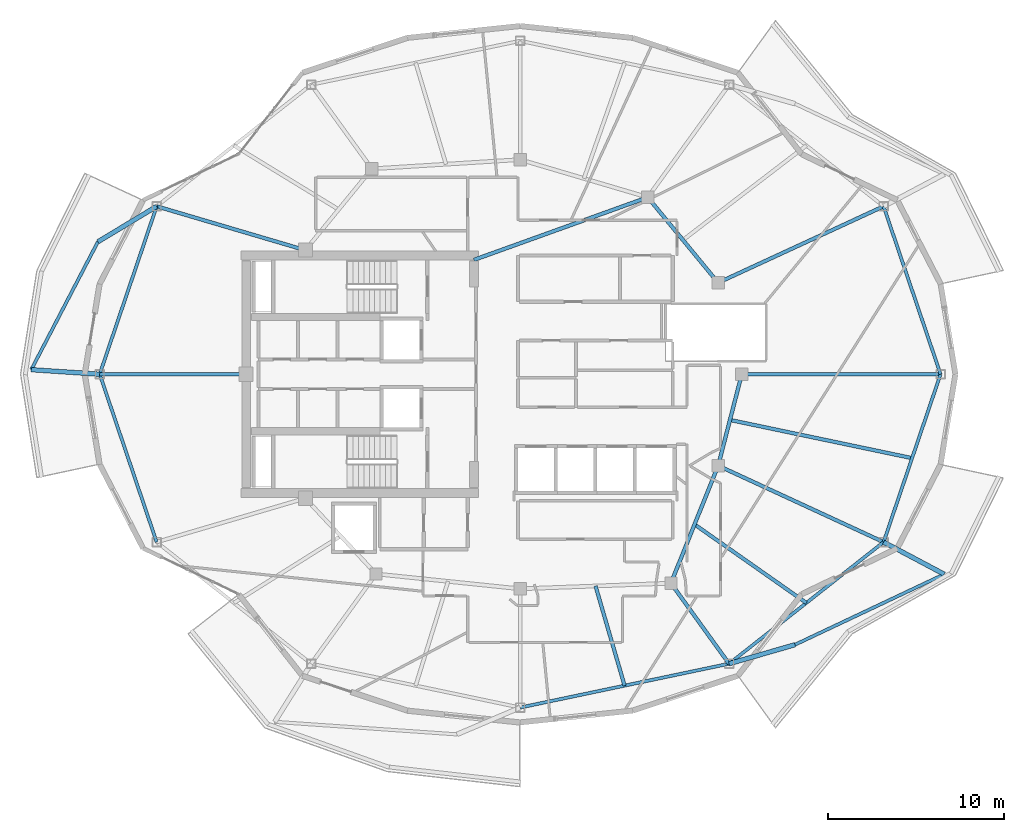
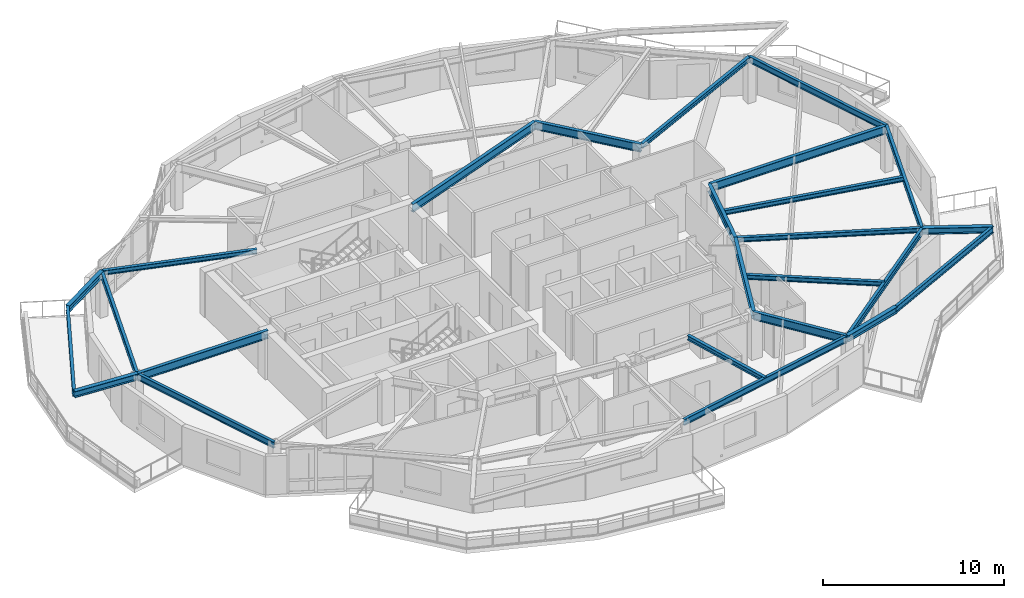
# One storey, part 3 of 14: 25 beams.
"""IFC4 building model written with IfcOpenShell, lengths in metres."""

from ifc_helpers import new_model, si_unit, direction, frame, origin, origin_2d, place, context, subcontext, project, spatial, i_section, extrude, material, material_profile, profile_set, type_object, element, save


model = new_model("IFC4")

# Units and contexts
model_context = context("Model", 3, precision=1e-05, world=origin(), true_north=direction((0.0, 1.0)))
body_context = subcontext(model_context, "Body", "Model", "MODEL_VIEW")
ifc_project = project(units=[si_unit("LENGTHUNIT", "METRE"), si_unit("AREAUNIT", "SQUARE_METRE"), si_unit("VOLUMEUNIT", "CUBIC_METRE"), si_unit("PLANEANGLEUNIT", "RADIAN"), si_unit("MASSUNIT", "GRAM", prefix="KILO")], contexts=[model_context])

# Site, building, storey
site_placement = place(None, origin())
site = spatial("IfcSite", under=ifc_project, at=site_placement, CompositionType="ELEMENT")
building_placement = place(site_placement, origin())
building = spatial("IfcBuilding", under=site, at=building_placement, Name="Kolvaren Gate Tower and Convention Centre", CompositionType="ELEMENT")
storey_placement = place(building_placement, frame((0.0, 0.0, 206.300048828125)))
storey = spatial("IfcBuildingStorey", under=building, at=storey_placement, Name="L54", CompositionType="ELEMENT", Elevation=206.300048828125)

# Beams
ifc_material = material(Name="Structural steel ASTM A992 Grade 345 MPa", Category="steel")
ifc_material_profile_1 = material_profile(ifc_material, i_section(OverallWidth=0.260009765625, OverallDepth=0.419921875, WebThickness=0.013427734375, FlangeThickness=0.0224609375, at=origin_2d()), Name="W410X132")
ifc_profile_set_1 = profile_set([ifc_material_profile_1], Name="Structural steel ASTM A992 Grade 345 MPa")
beam_type_1 = type_object("IfcBeamType", Name="STR-BM-W410X132", PredefinedType="BEAM", material=ifc_profile_set_1)
for number, where, z_axis, x_axis, name in (
    (1, (9.462646484375, 36.543701171875, 2.820556640625), (-0.856097890351, -0.516813701575, 0.0), (0.516813701575, -0.856097890351, 0.0), "Tower L55 Planted Balcony Outrigger Cantilever BC-2A"),
    (2, (6.22509765625, 27.0, 2.820556640625), (-0.997825138942, 0.065916554034, 0.0), (-0.065916554034, -0.997825138942, 0.0), "Tower L55 Planted Balcony Outrigger Cantilever BC-2B"),
):
    element("IfcBeam", number, at=place(storey_placement, frame(where, z_axis=z_axis, x_axis=x_axis)), inside=storey, type_object=beam_type_1, Name=name, PredefinedType="BEAM", context=body_context, shape_type="SweptSolid", body=[
        extrude(i_section(OverallWidth=0.260009765625, OverallDepth=0.419921875, WebThickness=0.013427734375, FlangeThickness=0.0224609375, at=origin_2d()), origin(), (0.0, 0.0, 1.0), 3.900146484375),
    ])
for number, where, z_axis, x_axis, name in (
    (3, (42.002685546875, 10.5419921875, 2.820556640625), (0.960795374216, 0.277258451421, 0.0), (-0.277258451421, 0.960795374216, 0.0), "Tower L55 Planted Balcony Outrigger Cantilever BC-4A"),
    (4, (50.787353515625, 17.456298828125, 2.820556640625), (0.88362340532, -0.468198331448, 0.0), (0.468198331448, 0.88362340532, 0.0), "Tower L55 Planted Balcony Outrigger Cantilever BC-4B"),
):
    element("IfcBeam", number, at=place(storey_placement, frame(where, z_axis=z_axis, x_axis=x_axis)), inside=storey, type_object=beam_type_1, Name=name, PredefinedType="BEAM", context=body_context, shape_type="SweptSolid", body=[
        extrude(i_section(OverallWidth=0.260009765625, OverallDepth=0.419921875, WebThickness=0.013427734375, FlangeThickness=0.0224609375, at=origin_2d()), origin(), (0.0, 0.0, 1.0), 3.89990234375),
    ])
ifc_material_profile_2 = material_profile(ifc_material, i_section(OverallWidth=0.2119140625, OverallDepth=0.5439453125, WebThickness=0.01318359375, FlangeThickness=0.021240234375, at=origin_2d()), Name="W530X123")
ifc_profile_set_2 = profile_set([ifc_material_profile_2], Name="Structural steel ASTM A992 Grade 345 MPa")
beam_type_2 = type_object("IfcBeamType", Name="STR-BM-W530X123", PredefinedType="BEAM", material=ifc_profile_set_2)
beam_1_placement = place(storey_placement, frame((42.72509765625, 27.0, 2.758056640625), z_axis=(-0.250091133936, -0.968222301296, 0.0), x_axis=(0.968222301296, -0.250091133936, 0.0)))
element("IfcBeam", 5, at=beam_1_placement, inside=storey, type_object=beam_type_2, Name="Tower L54 Primary Ring Girder G-01", PredefinedType="BEAM", context=body_context, shape_type="SweptSolid", body=[
    extrude(i_section(OverallWidth=0.2119140625, OverallDepth=0.5439453125, WebThickness=0.01318359375, FlangeThickness=0.021240234375, at=origin_2d()), origin(), (0.0, 0.0, 1.0), 5.3701171875),
])
beam_2_placement = place(storey_placement, frame((41.382080078125, 32.199462890625, 2.758056640625), z_axis=(-0.635884066011, 0.771784590798, 0.0), x_axis=(-0.771784590798, -0.635884066011, 0.0)))
element("IfcBeam", 6, at=beam_2_placement, inside=storey, type_object=beam_type_2, Name="Tower L54 Primary Ring Girder G-02", PredefinedType="BEAM", context=body_context, shape_type="SweptSolid", body=[
    extrude(i_section(OverallWidth=0.2119140625, OverallDepth=0.5439453125, WebThickness=0.01318359375, FlangeThickness=0.021240234375, at=origin_2d()), origin(), (0.0, 0.0, 1.0), 6.291259765625),
])
beam_3_placement = place(storey_placement, frame((38.6982421875, 15.12060546875, 2.758056640625), z_axis=(0.372811100169, 0.927907260232, 0.0), x_axis=(-0.927907260232, 0.372811100169, 0.0)))
element("IfcBeam", 7, at=beam_3_placement, inside=storey, type_object=beam_type_2, Name="Tower L54 Primary Ring Girder G-09", PredefinedType="BEAM", context=body_context, shape_type="SweptSolid", body=[
    extrude(i_section(OverallWidth=0.2119140625, OverallDepth=0.5439453125, WebThickness=0.01318359375, FlangeThickness=0.021240234375, at=origin_2d()), origin(), (0.0, 0.0, 1.0), 7.198974609375),
])
beam_4_placement = place(storey_placement, frame((27.5, 33.5, 2.758056640625), z_axis=(0.940961479908, 0.338513653093, 0.0), x_axis=(-0.338513653093, 0.940961479908, 0.0)))
element("IfcBeam", 8, at=beam_4_placement, inside=storey, type_object=beam_type_2, Name="Tower L54 Primary Ring Girder G-10", PredefinedType="BEAM", context=body_context, shape_type="SweptSolid", body=[
    extrude(i_section(OverallWidth=0.2119140625, OverallDepth=0.5439453125, WebThickness=0.01318359375, FlangeThickness=0.021240234375, at=origin_2d()), origin(), (0.0, 0.0, 1.0), 10.501708984375),
])
beam_5_placement = place(storey_placement, frame((42.72509765625, 27.0, 2.758056640625), z_axis=(1.0, 0.0, 0.0), x_axis=(0.0, 1.0, 0.0)))
element("IfcBeam", 9, at=beam_5_placement, inside=storey, type_object=beam_type_2, Name="Tower L54 Radial Floor Girder RB-01", PredefinedType="BEAM", context=body_context, shape_type="SweptSolid", body=[
    extrude(i_section(OverallWidth=0.2119140625, OverallDepth=0.5439453125, WebThickness=0.01318359375, FlangeThickness=0.021240234375, at=origin_2d()), origin(), (0.0, 0.0, 1.0), 11.2998046875),
])
beam_6_placement = place(storey_placement, frame((14.550048828125, 27.0, 2.758056640625), z_axis=(-1.0, 0.0, 0.0), x_axis=(0.0, -1.0, 0.0)))
element("IfcBeam", 10, at=beam_6_placement, inside=storey, type_object=beam_type_2, Name="Tower L54 Radial Floor Girder RB-07", PredefinedType="BEAM", context=body_context, shape_type="SweptSolid", body=[
    extrude(i_section(OverallWidth=0.2119140625, OverallDepth=0.5439453125, WebThickness=0.01318359375, FlangeThickness=0.021240234375, at=origin_2d()), origin(), (0.0, 0.0, 1.0), 8.324951171875),
])
beam_7_placement = place(storey_placement, frame((38.6982421875, 15.12060546875, 2.758056640625), z_axis=(0.585218993275, -0.810875286286, 0.0), x_axis=(0.810875286286, 0.585218993275, 0.0)))
element("IfcBeam", 11, at=beam_7_placement, inside=storey, type_object=beam_type_2, Name="Tower L54 Radial Floor Girder RB-11", PredefinedType="BEAM", context=body_context, shape_type="SweptSolid", body=[
    extrude(i_section(OverallWidth=0.2119140625, OverallDepth=0.5439453125, WebThickness=0.01318359375, FlangeThickness=0.021240234375, at=origin_2d()), origin(), (0.0, 0.0, 1.0), 5.646484375),
])
ifc_material_profile_3 = material_profile(ifc_material, i_section(OverallWidth=0.205078125, OverallDepth=0.31005859375, WebThickness=0.009521484375, FlangeThickness=0.016357421875, at=origin_2d()), Name="W310X74")
ifc_profile_set_3 = profile_set([ifc_material_profile_3], Name="Structural steel ASTM A992 Grade 345 MPa")
beam_type_3 = type_object("IfcBeamType", Name="STR-JS-W310X74", PredefinedType="JOIST", material=ifc_profile_set_3)
beam_8_placement = place(storey_placement, frame((41.382080078125, 32.199462890625, 2.875), z_axis=(0.907836575129, 0.419324162025, 0.0), x_axis=(-0.419324162025, 0.907836575129, 0.0)))
element("IfcBeam", 12, at=beam_8_placement, inside=storey, type_object=beam_type_3, Name="Tower L54 Radial Floor Girder RB-02", PredefinedType="JOIST", context=body_context, shape_type="SweptSolid", body=[
    extrude(i_section(OverallWidth=0.205078125, OverallDepth=0.31005859375, WebThickness=0.009521484375, FlangeThickness=0.016357421875, at=origin_2d()), origin(), (0.0, 0.0, 1.0), 10.360107421875),
])
beam_9_placement = place(storey_placement, frame((17.9140625, 34.050048828125, 2.875), z_axis=(-0.959121165581, 0.28299574155, 0.0), x_axis=(-0.28299574155, -0.959121165581, 0.0)))
element("IfcBeam", 13, at=beam_9_placement, inside=storey, type_object=beam_type_3, Name="Tower L54 Radial Floor Girder RB-06", PredefinedType="JOIST", context=body_context, shape_type="SweptSolid", body=[
    extrude(i_section(OverallWidth=0.205078125, OverallDepth=0.31005859375, WebThickness=0.009521484375, FlangeThickness=0.016357421875, at=origin_2d()), origin(), (0.0, 0.0, 1.0), 8.8115234375),
])
beam_10_placement = place(storey_placement, frame((41.382080078125, 21.800537109375, 2.875), z_axis=(0.907836575129, -0.419324162025, 0.0), x_axis=(0.419324162025, 0.907836575129, 0.0)))
element("IfcBeam", 14, at=beam_10_placement, inside=storey, type_object=beam_type_3, Name="Tower L54 Radial Floor Girder RB-12", PredefinedType="JOIST", context=body_context, shape_type="SweptSolid", body=[
    extrude(i_section(OverallWidth=0.205078125, OverallDepth=0.31005859375, WebThickness=0.009521484375, FlangeThickness=0.016357421875, at=origin_2d()), origin(), (0.0, 0.0, 1.0), 10.360107421875),
])
beam_11_placement = place(storey_placement, frame((34.41162109375, 14.960205078125, 2.875), z_axis=(0.280001588896, -0.959999536571, 0.0), x_axis=(0.959999536571, 0.280001588896, 0.0)))
element("IfcBeam", 15, at=beam_11_placement, inside=storey, type_object=beam_type_3, Name="Tower L54 Secondary Composite Floor Joist J-10.1", PredefinedType="JOIST", context=body_context, shape_type="SweptSolid", body=[
    extrude(i_section(OverallWidth=0.205078125, OverallDepth=0.31005859375, WebThickness=0.009521484375, FlangeThickness=0.016357421875, at=origin_2d()), origin(), (0.0, 0.0, 1.0), 5.900390625),
])
beam_12_placement = place(storey_placement, frame((40.040283203125, 18.46044921875, 2.875), z_axis=(0.81845266589, -0.574573958423, 0.0), x_axis=(0.574573958423, 0.81845266589, 0.0)))
element("IfcBeam", 16, at=beam_12_placement, inside=storey, type_object=beam_type_3, Name="Tower L54 Secondary Composite Floor Joist J-11.1", PredefinedType="JOIST", context=body_context, shape_type="SweptSolid", body=[
    extrude(i_section(OverallWidth=0.205078125, OverallDepth=0.31005859375, WebThickness=0.009521484375, FlangeThickness=0.016357421875, at=origin_2d()), origin(), (0.0, 0.0, 1.0), 7.764404296875),
])
beam_13_placement = place(storey_placement, frame((42.0537109375, 24.400146484375, 2.875), z_axis=(0.978694513543, -0.205321818519, 0.0), x_axis=(0.205321818519, 0.978694513543, 0.0)))
element("IfcBeam", 17, at=beam_13_placement, inside=storey, type_object=beam_type_3, Name="Tower L54 Secondary Composite Floor Joist J-12.1", PredefinedType="JOIST", context=body_context, shape_type="SweptSolid", body=[
    extrude(i_section(OverallWidth=0.205078125, OverallDepth=0.31005859375, WebThickness=0.009521484375, FlangeThickness=0.016357421875, at=origin_2d()), origin(), (0.0, 0.0, 1.0), 10.577880859375),
])
ifc_material_profile_4 = material_profile(ifc_material, i_section(OverallWidth=0.180908203125, OverallDepth=0.4169921875, WebThickness=0.010986328125, FlangeThickness=0.018310546875, at=origin_2d()), Name="W410X85")
ifc_profile_set_4 = profile_set([ifc_material_profile_4], Name="Structural steel ASTM A992 Grade 345 MPa")
beam_type_4 = type_object("IfcBeamType", Name="STR-SP-W410X85", PredefinedType="SPANDREL", material=ifc_profile_set_4)
for number, where, z_axis, x_axis, name in (
    (18, (54.02490234375, 27.0, 2.821533203125), (-0.321252507379, 0.946993572577, 0.0), (-0.946993572577, -0.321252507379, 0.0), "Tower L54 Perimeter Spandrel Beam SP-01"),
    (19, (9.462646484375, 36.543701171875, 2.821533203125), (-0.321252507379, -0.946993572577, 0.0), (0.946993572577, -0.321252507379, 0.0), "Tower L54 Perimeter Spandrel Beam SP-06"),
    (20, (6.22509765625, 27.0, 2.821533203125), (0.321252507379, -0.946993572577, 0.0), (0.946993572577, 0.321252507379, 0.0), "Tower L54 Perimeter Spandrel Beam SP-07"),
):
    element("IfcBeam", number, at=place(storey_placement, frame(where, z_axis=z_axis, x_axis=x_axis)), inside=storey, type_object=beam_type_4, Name=name, PredefinedType="SPANDREL", context=body_context, shape_type="SweptSolid", body=[
        extrude(i_section(OverallWidth=0.180908203125, OverallDepth=0.4169921875, WebThickness=0.010986328125, FlangeThickness=0.018310546875, at=origin_2d()), origin(), (0.0, 0.0, 1.0), 10.077880859375),
    ])
beam_14_placement = place(storey_placement, frame((30.125, 8.050048828125, 2.821533203125), z_axis=(0.978692765917, 0.205330148645, 0.0), x_axis=(-0.205330148645, 0.978692765917, 0.0)))
element("IfcBeam", 21, at=beam_14_placement, inside=storey, type_object=beam_type_4, Name="Tower L54 Perimeter Spandrel Beam SP-10", PredefinedType="SPANDREL", context=body_context, shape_type="SweptSolid", body=[
    extrude(i_section(OverallWidth=0.180908203125, OverallDepth=0.4169921875, WebThickness=0.010986328125, FlangeThickness=0.018310546875, at=origin_2d()), origin(), (0.0, 0.0, 1.0), 12.13623046875),
])
beam_15_placement = place(storey_placement, frame((42.002685546875, 10.5419921875, 2.821533203125), z_axis=(0.78579365551, 0.618488747643, 0.0), x_axis=(-0.618488747643, 0.78579365551, 0.0)))
element("IfcBeam", 22, at=beam_15_placement, inside=storey, type_object=beam_type_4, Name="Tower L54 Perimeter Spandrel Beam SP-11", PredefinedType="SPANDREL", context=body_context, shape_type="SweptSolid", body=[
    extrude(i_section(OverallWidth=0.180908203125, OverallDepth=0.4169921875, WebThickness=0.010986328125, FlangeThickness=0.018310546875, at=origin_2d()), origin(), (0.0, 0.0, 1.0), 11.179443359375),
])
beam_16_placement = place(storey_placement, frame((50.787353515625, 17.456298828125, 2.821533203125), z_axis=(0.321252507379, 0.946993572577, 0.0), x_axis=(-0.946993572577, 0.321252507379, 0.0)))
element("IfcBeam", 23, at=beam_16_placement, inside=storey, type_object=beam_type_4, Name="Tower L54 Perimeter Spandrel Beam SP-12", PredefinedType="SPANDREL", context=body_context, shape_type="SweptSolid", body=[
    extrude(i_section(OverallWidth=0.180908203125, OverallDepth=0.4169921875, WebThickness=0.010986328125, FlangeThickness=0.018310546875, at=origin_2d()), origin(), (0.0, 0.0, 1.0), 10.077880859375),
])
beam_17_placement = place(storey_placement, frame((6.123779296875, 34.528076171875, 2.822021484375), z_axis=(-0.462251551917, -0.886748838595, 0.0), x_axis=(0.886748838595, -0.462251551917, 0.0)))
element("IfcBeam", 24, at=beam_17_placement, inside=storey, type_object=beam_type_4, Name="Tower L55 Planted Balcony Header Tie Beam BT-2", PredefinedType="SPANDREL", context=body_context, shape_type="SweptSolid", body=[
    extrude(i_section(OverallWidth=0.180908203125, OverallDepth=0.4169921875, WebThickness=0.010986328125, FlangeThickness=0.018310546875, at=origin_2d()), origin(), (0.0, 0.0, 1.0), 8.19970703125),
])
beam_18_placement = place(storey_placement, frame((45.749755859375, 11.623291015625, 2.822021484375), z_axis=(0.90421096583, 0.427086091173, 0.0), x_axis=(-0.427086091173, 0.90421096583, 0.0)))
element("IfcBeam", 25, at=beam_18_placement, inside=storey, type_object=beam_type_4, Name="Tower L55 Planted Balcony Header Tie Beam BT-4", PredefinedType="SPANDREL", context=body_context, shape_type="SweptSolid", body=[
    extrude(i_section(OverallWidth=0.180908203125, OverallDepth=0.4169921875, WebThickness=0.010986328125, FlangeThickness=0.018310546875, at=origin_2d()), origin(), (0.0, 0.0, 1.0), 9.38232421875),
])

save(model, "model.ifc")
